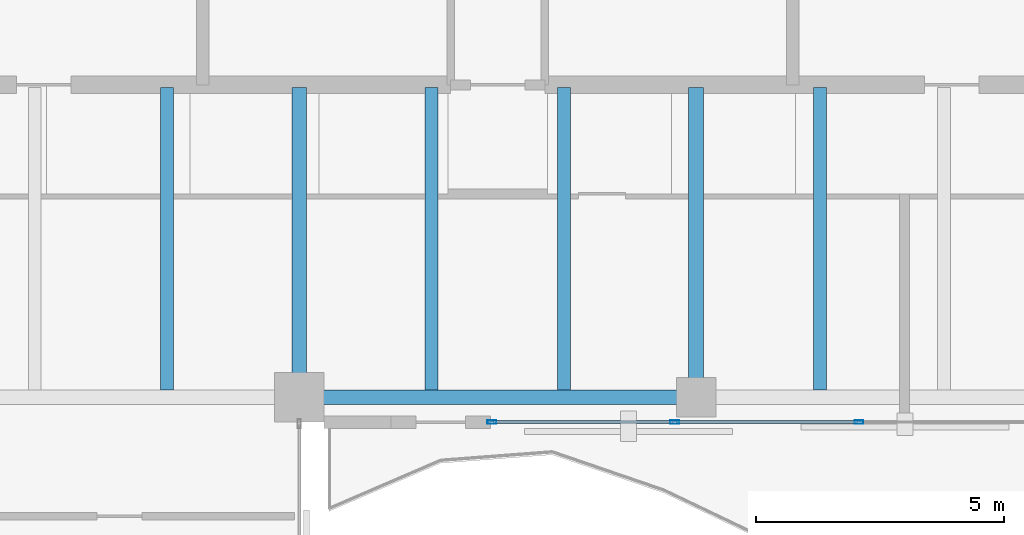
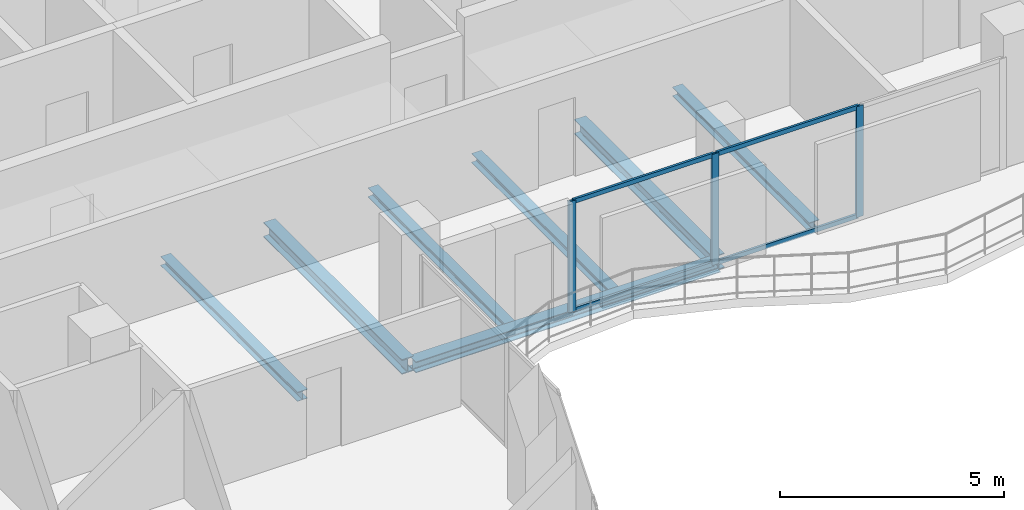
# One storey, part 11 of 23: 7 beams, 7 members, 1 element without a shape of its own.
"""IFC4 building model written with IfcOpenShell, lengths in metres."""

from ifc_helpers import new_model, si_unit, direction, frame, origin, origin_2d, place, context, subcontext, project, spatial, hollow_rectangle, i_section, extrude, material, layer, layer_set, material_profile, profile_set, type_object, element, aggregate, save


model = new_model("IFC4")

# Units and contexts
model_context = context("Model", 3, precision=1e-05, world=origin(), true_north=direction((0.0, 1.0)))
body_context = subcontext(model_context, "Body", "Model", "MODEL_VIEW")
ifc_project = project(units=[si_unit("LENGTHUNIT", "METRE"), si_unit("AREAUNIT", "SQUARE_METRE"), si_unit("VOLUMEUNIT", "CUBIC_METRE"), si_unit("PLANEANGLEUNIT", "RADIAN"), si_unit("MASSUNIT", "GRAM", prefix="KILO")], contexts=[model_context])

# Site, building, storey
site_placement = place(None, origin())
site = spatial("IfcSite", under=ifc_project, at=site_placement, CompositionType="ELEMENT")
building_placement = place(site_placement, origin())
building = spatial("IfcBuilding", under=site, at=building_placement, Name="Catumbela Crestline Tower", CompositionType="ELEMENT")
storey_placement = place(building_placement, frame((0.0, 0.0, 172.2)))
storey = spatial("IfcBuildingStorey", under=building, at=storey_placement, Name="L44", CompositionType="ELEMENT", Elevation=172.2)

# Beams
ifc_material_1 = material(Name="Structural steel S355J2", Category="steel")
ifc_material_profile_1 = material_profile(ifc_material_1, i_section(OverallWidth=0.3, OverallDepth=0.4, WebThickness=0.0135, FlangeThickness=0.024, FilletRadius=0.027, at=origin_2d()), Name="HEB 400")
ifc_profile_set_1 = profile_set([ifc_material_profile_1], Name="Structural steel S355J2")
beam_type_1 = type_object("IfcBeamType", Name="BG-HEB400", PredefinedType="BEAM", material=ifc_profile_set_1)
for number, where, z_axis, x_axis, name in (
    (1, (24.0, 24.58, -0.46), (0.0, 1.0, 0.0), (-1.0, 0.0, 0.0), "L44 Beam BM-L44-SNS18"),
    (2, (32.0, 24.58, -0.46), (0.0, 1.0, 0.0), (-1.0, 0.0, 0.0), "L44 Beam BM-L44-SNS19"),
):
    element("IfcBeam", number, at=place(storey_placement, frame(where, z_axis=z_axis, x_axis=x_axis)), inside=storey, type_object=beam_type_1, Name=name, PredefinedType="BEAM", context=body_context, shape_type="SweptSolid", body=[
        extrude(i_section(OverallWidth=0.3, OverallDepth=0.4, WebThickness=0.0135, FlangeThickness=0.024, FilletRadius=0.027, at=origin_2d()), origin(), (0.0, 0.0, 1.0), 6.17),
    ])
ifc_material_profile_2 = material_profile(ifc_material_1, i_section(OverallWidth=0.26, OverallDepth=0.25, WebThickness=0.0075, FlangeThickness=0.0125, FilletRadius=0.024, at=origin_2d()), Name="HEA 260")
ifc_profile_set_2 = profile_set([ifc_material_profile_2], Name="Structural steel S355J2")
beam_type_2 = type_object("IfcBeamType", Name="BJ-HEA260", PredefinedType="JOIST", material=ifc_profile_set_2)
for number, where, z_axis, x_axis, name in (
    (3, (21.333, 24.647, -0.385), (0.0, 1.0, 0.0), (-1.0, 0.0, 0.0), "L44 Joist JS-L44-SP27"),
    (4, (26.667, 24.647, -0.385), (0.0, 1.0, 0.0), (-1.0, 0.0, 0.0), "L44 Joist JS-L44-SP28"),
    (5, (29.333, 24.647, -0.385), (0.0, 1.0, 0.0), (-1.0, 0.0, 0.0), "L44 Joist JS-L44-SP29"),
    (6, (34.5, 24.647, -0.385), (0.0, 1.0, 0.0), (-1.0, 0.0, 0.0), "L44 Joist JS-L44-SP30"),
):
    element("IfcBeam", number, at=place(storey_placement, frame(where, z_axis=z_axis, x_axis=x_axis)), inside=storey, type_object=beam_type_2, Name=name, PredefinedType="JOIST", context=body_context, shape_type="SweptSolid", body=[
        extrude(i_section(OverallWidth=0.26, OverallDepth=0.25, WebThickness=0.0075, FlangeThickness=0.0125, FilletRadius=0.024, at=origin_2d()), origin(), (0.0, 0.0, 1.0), 6.103),
    ])

# Curtain wall, members
ifc_material_2 = material(Name="Aluminium alloy AW-6060-T66", Category="aluminium")
ifc_layer = layer(ifc_material_2, 0.18, Name="Aluminium alloy AW-6060-T66")
ifc_layer_set = layer_set([ifc_layer], Name="Aluminium alloy AW-6060-T66")
curtain_wall_type = type_object("IfcCurtainWallType", Name="CWU-Z3", PredefinedType="USERDEFINED", material=ifc_layer_set)
curtain_wall_placement = place(storey_placement, origin())
curtain_wall = element("IfcCurtainWall", 7, at=curtain_wall_placement, inside=storey, type_object=curtain_wall_type, Name="L44 Unitised Curtain Wall CW-L44-E3S2", ObjectType="UNITISED", PredefinedType="USERDEFINED")
ifc_material_profile_3 = material_profile(ifc_material_2, hollow_rectangle(XDim=0.065, YDim=0.18, WallThickness=0.004, at=origin_2d()), Name="ALU 180x65x4")
ifc_profile_set_3 = profile_set([ifc_material_profile_3], Name="Aluminium alloy AW-6060-T66")
member_type_1 = type_object("IfcMemberType", Name="MUL-180X65", PredefinedType="MULLION", material=ifc_profile_set_3)
member_1_placement = place(storey_placement, frame((27.8825, 24.0, 0.0), z_axis=(0.0, 0.0, 1.0), x_axis=(0.0, 1.0, 0.0)))
member_1 = element("IfcMember", 8, at=member_1_placement, type_object=member_type_1, Name="CWU-Z3 mullion 1", PredefinedType="MULLION", context=body_context, shape_type="SweptSolid", body=[
    extrude(hollow_rectangle(XDim=0.065, YDim=0.18, WallThickness=0.004, at=origin_2d()), origin(), (0.0, 0.0, 1.0), 3.02),
])
member_2_placement = place(storey_placement, frame((31.5667, 24.0, 0.0), z_axis=(0.0, 0.0, 1.0), x_axis=(0.0, 1.0, 0.0)))
member_2 = element("IfcMember", 9, at=member_2_placement, type_object=member_type_1, Name="CWU-Z3 mullion 2", PredefinedType="MULLION", context=body_context, shape_type="SweptSolid", body=[
    extrude(hollow_rectangle(XDim=0.065, YDim=0.18, WallThickness=0.004, at=origin_2d()), origin(), (0.0, 0.0, 1.0), 3.02),
])
member_3_placement = place(storey_placement, frame((35.2833, 24.0, 0.0), z_axis=(0.0, 0.0, 1.0), x_axis=(0.0, 1.0, 0.0)))
member_3 = element("IfcMember", 10, at=member_3_placement, type_object=member_type_1, Name="CWU-Z3 mullion 3", PredefinedType="MULLION", context=body_context, shape_type="SweptSolid", body=[
    extrude(hollow_rectangle(XDim=0.065, YDim=0.18, WallThickness=0.004, at=origin_2d()), origin(), (0.0, 0.0, 1.0), 3.02),
])

# Beam
ifc_material_profile_4 = material_profile(ifc_material_1, i_section(OverallWidth=0.3, OverallDepth=0.3, WebThickness=0.011, FlangeThickness=0.019, FilletRadius=0.027, at=origin_2d()), Name="HEB 300")
ifc_profile_set_4 = profile_set([ifc_material_profile_4], Name="Structural steel S355J2")
beam_type_3 = type_object("IfcBeamType", Name="BS-HEB300", PredefinedType="SPANDREL", material=ifc_profile_set_4)
beam_placement = place(storey_placement, frame((24.08, 24.5, -0.41), z_axis=(1.0, 0.0, 0.0), x_axis=(0.0, 1.0, 0.0)))
element("IfcBeam", 11, at=beam_placement, inside=storey, type_object=beam_type_3, Name="L44 Spandrel SP-L44-S04", PredefinedType="SPANDREL", context=body_context, shape_type="SweptSolid", body=[
    extrude(i_section(OverallWidth=0.3, OverallDepth=0.3, WebThickness=0.011, FlangeThickness=0.019, FilletRadius=0.027, at=origin_2d()), origin(), (0.0, 0.0, 1.0), 7.84),
])

# Member
ifc_material_profile_5 = material_profile(ifc_material_2, hollow_rectangle(XDim=0.06, YDim=0.12, WallThickness=0.0035, at=origin_2d()), Name="ALU 120x60x3.5")
ifc_profile_set_5 = profile_set([ifc_material_profile_5], Name="Aluminium alloy AW-6060-T66")
member_type_2 = type_object("IfcMemberType", Name="TRN-120X60", PredefinedType="USERDEFINED", material=ifc_profile_set_5)
member_4_placement = place(storey_placement, frame((27.915, 24.0, 0.03), z_axis=(1.0, 0.0, 0.0), x_axis=(0.0, 1.0, 0.0)))
member_4 = element("IfcMember", 12, at=member_4_placement, type_object=member_type_2, Name="CWU-Z3 transom 1.1", ObjectType="TRANSOM", PredefinedType="USERDEFINED", context=body_context, shape_type="SweptSolid", body=[
    extrude(hollow_rectangle(XDim=0.06, YDim=0.12, WallThickness=0.0035, at=origin_2d()), origin(), (0.0, 0.0, 1.0), 3.6192),
])

member_5_placement = place(storey_placement, frame((27.915, 24.0, 2.99), z_axis=(1.0, 0.0, 0.0), x_axis=(0.0, 1.0, 0.0)))
member_5 = element("IfcMember", 13, at=member_5_placement, type_object=member_type_2, Name="CWU-Z3 transom 1.2", ObjectType="TRANSOM", PredefinedType="USERDEFINED", context=body_context, shape_type="SweptSolid", body=[
    extrude(hollow_rectangle(XDim=0.06, YDim=0.12, WallThickness=0.0035, at=origin_2d()), origin(), (0.0, 0.0, 1.0), 3.6192),
])

member_6_placement = place(storey_placement, frame((31.5992, 24.0, 0.03), z_axis=(1.0, 0.0, 0.0), x_axis=(0.0, 1.0, 0.0)))
member_6 = element("IfcMember", 14, at=member_6_placement, type_object=member_type_2, Name="CWU-Z3 transom 2.1", ObjectType="TRANSOM", PredefinedType="USERDEFINED", context=body_context, shape_type="SweptSolid", body=[
    extrude(hollow_rectangle(XDim=0.06, YDim=0.12, WallThickness=0.0035, at=origin_2d()), origin(), (0.0, 0.0, 1.0), 3.6516),
])

member_7_placement = place(storey_placement, frame((31.5992, 24.0, 2.99), z_axis=(1.0, 0.0, 0.0), x_axis=(0.0, 1.0, 0.0)))
member_7 = element("IfcMember", 15, at=member_7_placement, type_object=member_type_2, Name="CWU-Z3 transom 2.2", ObjectType="TRANSOM", PredefinedType="USERDEFINED", context=body_context, shape_type="SweptSolid", body=[
    extrude(hollow_rectangle(XDim=0.06, YDim=0.12, WallThickness=0.0035, at=origin_2d()), origin(), (0.0, 0.0, 1.0), 3.6516),
])

aggregate(curtain_wall, [member_1, member_2, member_3, member_4, member_5, member_6, member_7])

save(model, "model.ifc")
